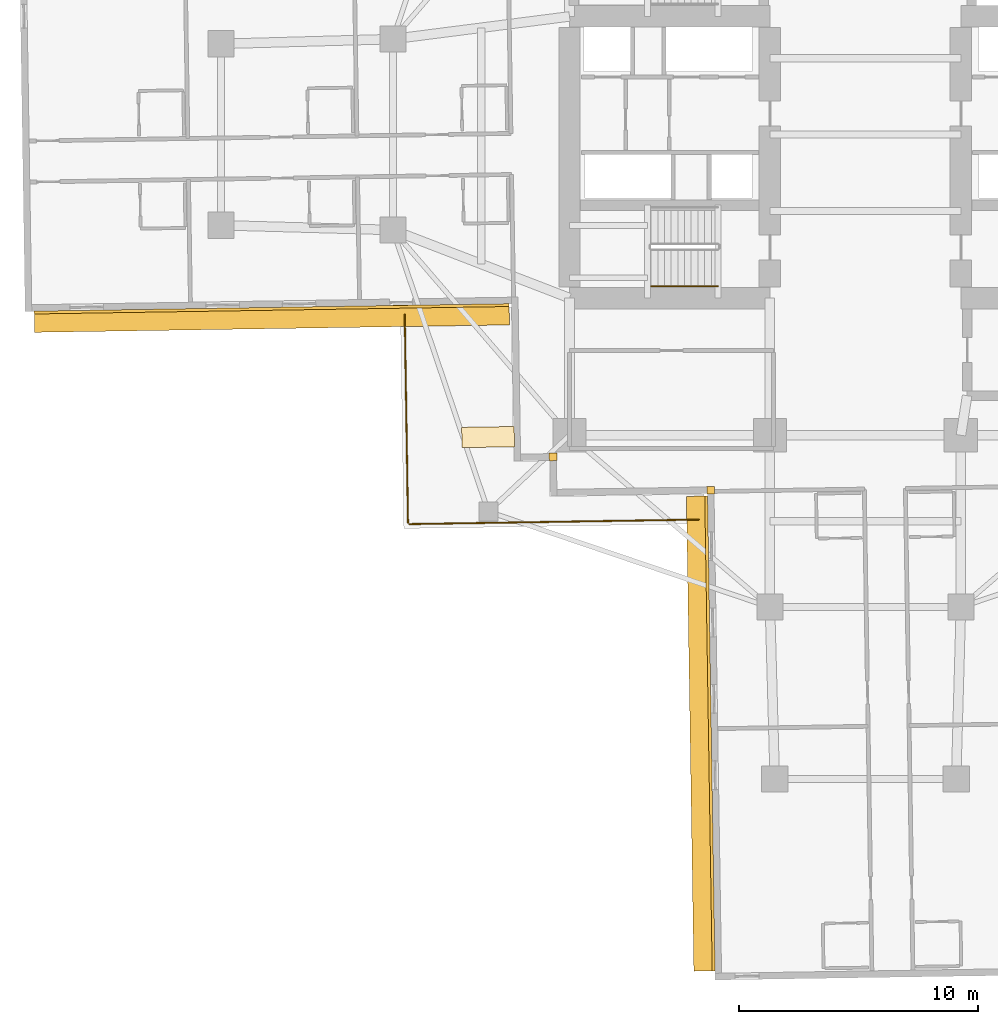
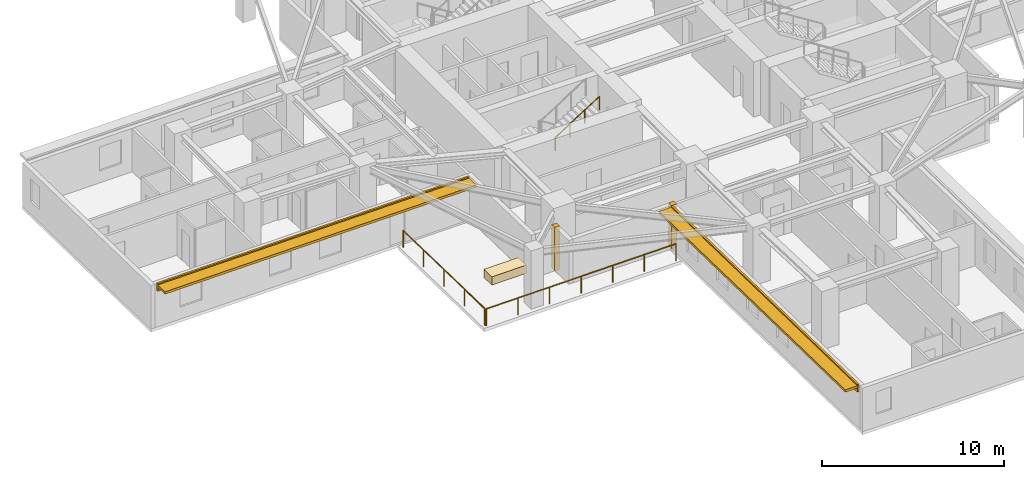
# One storey, part 10 of 14: 5 coverings, 3 railings, 2 shading devices.
"""IFC4 building model written with IfcOpenShell, lengths in metres."""

from ifc_helpers import new_model, si_unit, direction, frame, origin, origin_2d, place, context, subcontext, project, spatial, rectangle, circle, extrude, material, layer, layer_set, type_object, element, save


model = new_model("IFC4")

# Units and contexts
model_context = context("Model", 3, precision=1e-05, world=origin(), true_north=direction((0.0, 1.0)))
body_context = subcontext(model_context, "Body", "Model", "MODEL_VIEW")
ifc_project = project(units=[si_unit("LENGTHUNIT", "METRE"), si_unit("AREAUNIT", "SQUARE_METRE"), si_unit("VOLUMEUNIT", "CUBIC_METRE"), si_unit("PLANEANGLEUNIT", "RADIAN"), si_unit("MASSUNIT", "GRAM", prefix="KILO")], contexts=[model_context])

# Site, building, storey
site_placement = place(None, origin())
site = spatial("IfcSite", under=ifc_project, at=site_placement, CompositionType="ELEMENT")
building_placement = place(site_placement, origin())
building = spatial("IfcBuilding", under=site, at=building_placement, Name="Qingluan Cross Belvedere", CompositionType="ELEMENT")
storey_placement = place(building_placement, frame((0.0, 0.0, 60.0)))
storey = spatial("IfcBuildingStorey", under=building, at=storey_placement, Name="L15", CompositionType="ELEMENT", Elevation=60.0)

# Coverings
ifc_material_1 = material(Name="Precast concrete C45", Category="concrete")
ifc_layer_1 = layer(ifc_material_1, 0.1201171875, Name="ConcreteSpandrelCladding_120")
ifc_layer_set_1 = layer_set([ifc_layer_1], Name="Precast concrete C45")
covering_type_1 = type_object("IfcCoveringType", Name="ConcreteSpandrelCladding_120", PredefinedType="CLADDING", material=ifc_layer_set_1)
for number, where, z_axis, x_axis, name in (
    (1, (-24.87841796875, -7.3017578125, 2.449951171875), (0.0, 0.0, 1.0), (0.999876567432, 0.015711457647, 0.0), "Spandrel cladding L15-WB"),
    (2, (-6.5166015625, -25.095458984375, 2.449951171875), (0.0, 0.0, 1.0), (0.015706483741, -0.999876645576, 0.0), "Spandrel cladding L15-SA"),
):
    element("IfcCovering", number, at=place(storey_placement, frame(where, z_axis=z_axis, x_axis=x_axis)), inside=storey, type_object=covering_type_1, Name=name, PredefinedType="CLADDING", context=body_context, shape_type="SweptSolid", body=[
        extrude(rectangle(XDim=19.89990234375, YDim=0.1201171875, at=origin_2d()), origin(), (0.0, 0.0, 1.0), 0.52001953125),
    ])
for number, where, z_axis, x_axis, name in (
    (3, (-13.089599609375, -13.50732421875, 0.0), (0.0, 0.0, 1.0), (0.999876632482, 0.015707317312, 0.0), "Corner closure L15-SW1"),
    (4, (-6.48681640625, -14.90380859375, 0.0), (0.0, 0.0, 1.0), (0.999876632482, 0.015707317312, 0.0), "Corner closure L15-SW2"),
):
    element("IfcCovering", number, at=place(storey_placement, frame(where, z_axis=z_axis, x_axis=x_axis)), inside=storey, type_object=covering_type_1, Name=name, PredefinedType="CLADDING", context=body_context, shape_type="SweptSolid", body=[
        extrude(rectangle(XDim=0.320068359375, YDim=0.320068359375, at=origin_2d()), origin(), (0.0, 0.0, 1.0), 2.909912109375),
    ])

# Shading devices
ifc_material_2 = material(Name="Precast concrete C45", Category="concrete")
ifc_layer_2 = layer(ifc_material_2, 0.159912109375, Name="ConcreteSunshadeBand_900")
ifc_layer_set_2 = layer_set([ifc_layer_2], Name="Precast concrete C45")
shading_device_type = type_object("IfcShadingDeviceType", Name="ConcreteSunshadeBand_900", PredefinedType="USERDEFINED", material=ifc_layer_set_2)
for number, where, z_axis, x_axis, name in (
    (5, (-24.872314453125, -7.681640625, 2.72998046875), (0.0, 0.0, 1.0), (0.999876567432, 0.015711457647, 0.0), "Concrete SUNSHADE L15-WB"),
    (6, (-6.896484375, -25.101318359375, 2.72998046875), (0.0, 0.0, 1.0), (0.015706483741, -0.999876645576, 0.0), "Concrete SUNSHADE L15-SA"),
):
    element("IfcShadingDevice", number, at=place(storey_placement, frame(where, z_axis=z_axis, x_axis=x_axis)), inside=storey, type_object=shading_device_type, Name=name, ObjectType="SUNSHADE", PredefinedType="USERDEFINED", context=body_context, shape_type="SweptSolid", body=[
        extrude(rectangle(XDim=19.89990234375, YDim=0.89990234375, at=origin_2d()), origin(), (0.0, 0.0, 1.0), 0.159912109375),
    ])

# Railings
ifc_material_3 = material(Name="Brushed stainless steel tubular handrail", Category="steel")
railing_type_1 = type_object("IfcRailingType", Name="StairPitchHandrail_900", PredefinedType="HANDRAIL", material=ifc_material_3)
railing_1_placement = place(storey_placement, frame((-8.97998046875, -6.35009765625, 2.127197265625)))
element("IfcRailing", 7, at=railing_1_placement, inside=storey, type_object=railing_type_1, Name="L15 ST1 stair handrail 2", PredefinedType="HANDRAIL", context=body_context, shape_type="SweptSolid", body=[
    extrude(circle(Radius=0.02392578125, at=origin_2d()), frame((0.0, 0.0, 0.8759765625), z_axis=(0.844908973607, 0.0, 0.534910110503), x_axis=(0.0, 1.0, 0.0)), (0.0, 0.0, 1.0), 3.31396484375),
    extrude(circle(Radius=0.02099609375, at=origin_2d()), origin(), (0.0, 0.0, 1.0), 0.851806640625),
    extrude(circle(Radius=0.02099609375, at=origin_2d()), frame((0.933349609375, 0.0, 0.5908203125)), (0.0, 0.0, 1.0), 0.851806640625),
    extrude(circle(Radius=0.02099609375, at=origin_2d()), frame((1.86669921875, 0.0, 1.181884765625)), (0.0, 0.0, 1.0), 0.851806640625),
    extrude(circle(Radius=0.02099609375, at=origin_2d()), frame((2.800048828125, 0.0, 1.772705078125)), (0.0, 0.0, 1.0), 0.851806640625),
])
ifc_material_4 = material(Name="Laminated glass and stainless steel balustrade", Category="steel")
railing_type_2 = type_object("IfcRailingType", Name="TerraceGuardBalustrade_1150", PredefinedType="BALUSTRADE", material=ifc_material_4)
railing_2_placement = place(storey_placement, frame((-6.987548828125, -16.1318359375, 0.0)))
element("IfcRailing", 8, at=railing_2_placement, inside=storey, type_object=railing_type_2, Name="Terrace guard L15-1", PredefinedType="BALUSTRADE", context=body_context, shape_type="SweptSolid", body=[
    extrude(circle(Radius=0.02392578125, at=origin_2d()), frame((0.0, 0.0, 1.1259765625), z_axis=(-0.999876556639, -0.015712144452, 0.0), x_axis=(0.015712144452, -0.999876556639, 0.0)), (0.0, 0.0, 1.0), 12.119873046875),
    extrude(circle(Radius=0.02099609375, at=origin_2d()), origin(), (0.0, 0.0, 1.0), 1.101806640625),
    extrude(circle(Radius=0.02099609375, at=origin_2d()), frame((-2.019775390625, -0.03173828125, 0.0)), (0.0, 0.0, 1.0), 1.101806640625),
    extrude(circle(Radius=0.02099609375, at=origin_2d()), frame((-4.03955078125, -0.0634765625, 0.0)), (0.0, 0.0, 1.0), 1.101806640625),
    extrude(circle(Radius=0.02099609375, at=origin_2d()), frame((-6.05908203125, -0.09521484375, 0.0)), (0.0, 0.0, 1.0), 1.101806640625),
    extrude(circle(Radius=0.02099609375, at=origin_2d()), frame((-8.078857421875, -0.126953125, 0.0)), (0.0, 0.0, 1.0), 1.101806640625),
    extrude(circle(Radius=0.02099609375, at=origin_2d()), frame((-10.0986328125, -0.15869140625, 0.0)), (0.0, 0.0, 1.0), 1.101806640625),
    extrude(circle(Radius=0.02099609375, at=origin_2d()), frame((-12.118408203125, -0.1904296875, 0.0)), (0.0, 0.0, 1.0), 1.101806640625),
])
railing_3_placement = place(storey_placement, frame((-19.1669921875, -16.26318359375, 0.0)))
element("IfcRailing", 9, at=railing_3_placement, inside=storey, type_object=railing_type_2, Name="Terrace guard L15-2", PredefinedType="BALUSTRADE", context=body_context, shape_type="SweptSolid", body=[
    extrude(circle(Radius=0.02392578125, at=origin_2d()), frame((0.0, 0.0, 1.1259765625), z_axis=(-0.015706627752, 0.999876643314, 0.0), x_axis=(-0.999876643314, -0.015706627752, 0.0)), (0.0, 0.0, 1.0), 8.719970703125),
    extrude(circle(Radius=0.02099609375, at=origin_2d()), origin(), (0.0, 0.0, 1.0), 1.101806640625),
    extrude(circle(Radius=0.02099609375, at=origin_2d()), frame((-0.0341796875, 2.1796875, 0.0)), (0.0, 0.0, 1.0), 1.101806640625),
    extrude(circle(Radius=0.02099609375, at=origin_2d()), frame((-0.068359375, 4.359375, 0.0)), (0.0, 0.0, 1.0), 1.101806640625),
    extrude(circle(Radius=0.02099609375, at=origin_2d()), frame((-0.102783203125, 6.539306640625, 0.0)), (0.0, 0.0, 1.0), 1.101806640625),
    extrude(circle(Radius=0.02099609375, at=origin_2d()), frame((-0.136962890625, 8.718994140625, 0.0)), (0.0, 0.0, 1.0), 1.101806640625),
])

# Covering
ifc_material_5 = material(Name="Precast concrete C40", Category="concrete")
ifc_layer_3 = layer(ifc_material_5, 0.550048828125, Name="TerracePlanterBox")
ifc_layer_set_3 = layer_set([ifc_layer_3], Name="Precast concrete C40")
covering_type_2 = type_object("IfcCoveringType", Name="TerracePlanterBox", PredefinedType="USERDEFINED", material=ifc_layer_set_3)
covering_placement = place(storey_placement, frame((-15.81201171875, -12.675048828125, 0.0), z_axis=(0.0, 0.0, 1.0), x_axis=(0.999876632482, 0.015707317312, 0.0)))
element("IfcCovering", 10, at=covering_placement, inside=storey, type_object=covering_type_2, Name="Spiralling winter-garden planter L15", ObjectType="PLANTER", PredefinedType="USERDEFINED", context=body_context, shape_type="SweptSolid", body=[
    extrude(rectangle(XDim=2.199951171875, YDim=0.85009765625, at=origin_2d()), origin(), (0.0, 0.0, 1.0), 0.550048828125),
])

save(model, "model.ifc")
